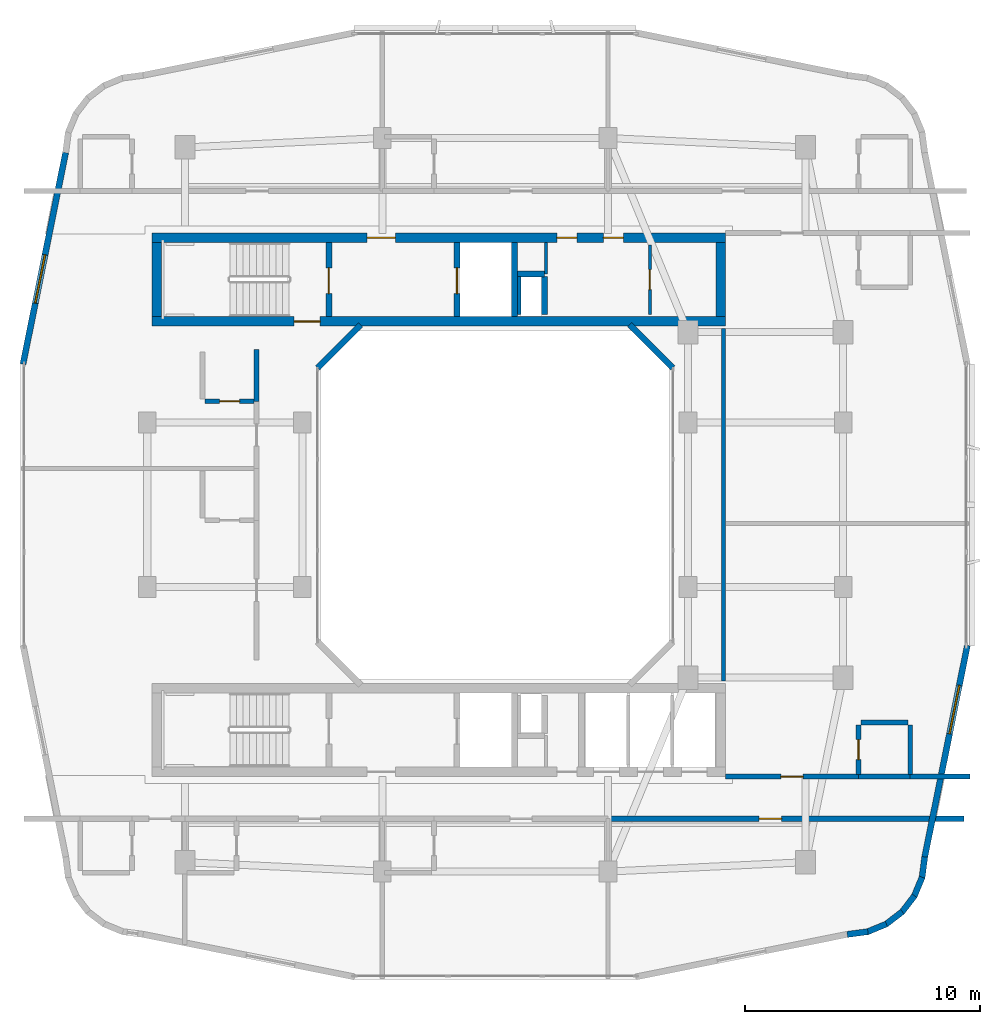
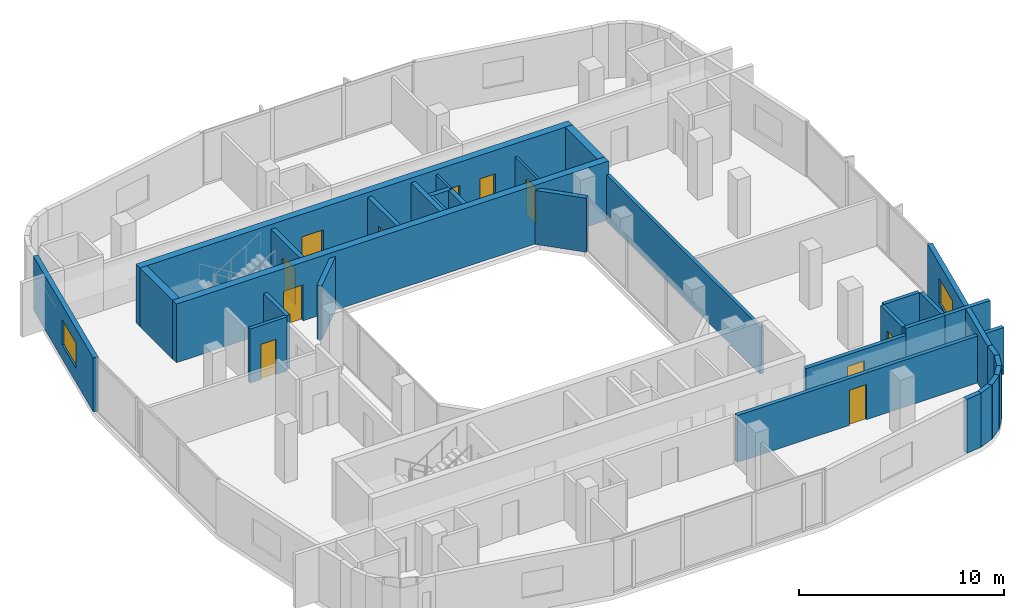
# One storey, part 8 of 14: 32 walls, 11 doors, 2 windows, 13 openings.
"""IFC4 building model written with IfcOpenShell, lengths in metres."""

from ifc_helpers import new_model, si_unit, derived_unit, direction, frame, frame_2d, origin, place, context, subcontext, project, spatial, rectangle, extrude, material, layer, layer_set, type_object, element, fill, save


model = new_model("IFC4")

# Units and contexts
model_context = context("Model", 3, precision=1e-05, world=origin(), true_north=direction((0.0, 1.0)))
body_context = subcontext(model_context, "Body", "Model", "MODEL_VIEW")
ifc_project = project(units=[si_unit("LENGTHUNIT", "METRE"), si_unit("AREAUNIT", "SQUARE_METRE"), si_unit("VOLUMEUNIT", "CUBIC_METRE"), si_unit("PLANEANGLEUNIT", "RADIAN"), si_unit("MASSUNIT", "GRAM", prefix="KILO"), derived_unit("THERMALTRANSMITTANCEUNIT", [(si_unit("POWERUNIT", "WATT"), 1), (si_unit("LENGTHUNIT", "METRE"), -2), (si_unit("THERMODYNAMICTEMPERATUREUNIT", "KELVIN"), -1)])], contexts=[model_context])

# Site, building, storey
site_placement = place(None, origin())
site = spatial("IfcSite", under=ifc_project, at=site_placement, CompositionType="ELEMENT")
building_placement = place(site_placement, origin())
building = spatial("IfcBuilding", under=site, at=building_placement, Name="Kivonza Crest Hotel", CompositionType="ELEMENT")
storey_placement = place(building_placement, frame((0.0, 0.0, 145.0)))
storey = spatial("IfcBuildingStorey", under=building, at=storey_placement, Name="L39", CompositionType="ELEMENT", Elevation=145.0)

# Wall
ifc_material_1 = material(Name="High-density acoustic masonry inter-tenancy wall", Category="masonry")
ifc_layer_1 = layer(ifc_material_1, 0.179931640625)
ifc_layer_set_1 = layer_set([ifc_layer_1], Name="High-density acoustic masonry inter-tenancy wall")
wall_type_1 = type_object("IfcWallType", Name="WL-ACOU-180", PredefinedType="SOLIDWALL", material=ifc_layer_set_1)
wall_1_placement = place(storey_placement, frame((30.7099609375, 17.5, 0.0), z_axis=(0.0, 0.0, 1.0), x_axis=(0.0, 1.0, 0.0)))
element("IfcWall", 1, at=wall_1_placement, inside=storey, type_object=wall_type_1, Name="L39 interior partition WA-L39-T1EC-W", PredefinedType="SOLIDWALL", context=body_context, shape_type="SweptSolid", body=[
    extrude(rectangle(XDim=15.0, YDim=0.179931640625, at=frame_2d((7.5, 0.0))), origin(), (0.0, 0.0, 1.0), 2.794921875),
])

# Wall, opening, door
ifc_material_2 = material(Name="Autoclaved aerated concrete blockwork", Category="masonry")
ifc_layer_2 = layer(ifc_material_2, 0.219970703125)
ifc_layer_set_2 = layer_set([ifc_layer_2], Name="Autoclaved aerated concrete blockwork")
wall_type_2 = type_object("IfcWallType", Name="WL-ACOU-220", PredefinedType="SOLIDWALL", material=ifc_layer_set_2)
wall_2_placement = place(storey_placement, frame((25.89990234375, 11.64990234375, 0.0), z_axis=(0.0, 0.0, 1.0), x_axis=(1.0, 0.0, 0.0)))
wall_2 = element("IfcWall", 2, at=wall_2_placement, inside=storey, type_object=wall_type_2, Name="L39 interior partition WA-L39-BUS-MTG-N", PredefinedType="SOLIDWALL", context=body_context, shape_type="SweptSolid", body=[
    extrude(rectangle(XDim=15.0400390625, YDim=0.219970703125, at=frame_2d((7.52001953125, 0.0))), origin(), (0.0, 0.0, 1.0), 2.794921875),
])
opening_1_placement = place(wall_2_placement, frame((6.330078125, 0.0, 0.0)))
opening_1 = element("IfcOpeningElement", 3, at=opening_1_placement, cuts=wall_2, Name="Opening DF-60S", PredefinedType="OPENING", context=body_context, shape_type="SweptSolid", body=[
    extrude(rectangle(XDim=0.949951171875, YDim=2.10009765625, at=frame_2d((0.47509765625, 1.050048828125))), frame((0.0, 0.1201171875, 0.0), z_axis=(0.0, -1.0, 0.0), x_axis=(1.0, 0.0, 0.0)), (0.0, 0.0, 1.0), 0.239990234375),
])
ifc_material_3 = material(Name="Hardwood timber oak", Category="wood")
door_type_1 = type_object("IfcDoorType", Name="DR-FD60-950", OperationType="NOTDEFINED", PredefinedType="DOOR", material=ifc_material_3)
door_1_placement = place(opening_1_placement, frame((0.949951171875, 0.0, 0.0), z_axis=(0.0, 0.0, 1.0), x_axis=(-1.0, 0.0, 0.0)))
door_1 = element("IfcDoor", 4, at=door_1_placement, inside=storey, type_object=door_type_1, Name="L39 Guest Business Office door", OperationType="SINGLE_SWING_RIGHT", OverallHeight=2.10009765625, OverallWidth=0.949951171875, PredefinedType="DOOR", context=body_context, shape_type="SweptSolid", body=[
    extrude(rectangle(XDim=0.949951171875, YDim=2.10009765625, at=frame_2d((0.47509765625, 1.050048828125))), frame((0.0, 0.02490234375, 0.0), z_axis=(0.0, -1.0, 0.0), x_axis=(1.0, 0.0, 0.0)), (0.0, 0.0, 1.0), 0.050048828125),
])
fill(opening_1, door_1)

# Walls
wall_3_placement = place(storey_placement, frame((10.85009765625, 29.39990234375, 0.0), z_axis=(0.0, 0.0, 1.0), x_axis=(0.0, 1.0, 0.0)))
element("IfcWall", 5, at=wall_3_placement, inside=storey, type_object=wall_type_2, Name="L39 interior partition WA-L39-W08-BCORR", PredefinedType="SOLIDWALL", context=body_context, shape_type="SweptSolid", body=[
    extrude(rectangle(XDim=2.2001953125, YDim=0.219970703125, at=frame_2d((1.10009765625, 0.0))), origin(), (0.0, 0.0, 1.0), 3.219970703125),
])
wall_4_placement = place(storey_placement, frame((38.64990234375, 13.43994140625, 0.0), z_axis=(0.0, 0.0, 1.0), x_axis=(1.0, 0.0, 0.0)))
element("IfcWall", 6, at=wall_4_placement, inside=storey, type_object=wall_type_2, Name="L39 interior partition WA-L39-ES09-XCORR", PredefinedType="SOLIDWALL", context=body_context, shape_type="SweptSolid", body=[
    extrude(rectangle(XDim=2.550048828125, YDim=0.219970703125, at=frame_2d((1.27490234375, 0.0))), origin(), (0.0, 0.0, 1.0), 3.219970703125),
])
wall_5_placement = place(storey_placement, frame((36.449951171875, 13.43994140625, 0.0), z_axis=(0.0, 0.0, 1.0), x_axis=(1.0, 0.0, 0.0)))
element("IfcWall", 7, at=wall_5_placement, inside=storey, type_object=wall_type_2, Name="L39 interior partition WA-L39-ES09-BCORR", PredefinedType="SOLIDWALL", context=body_context, shape_type="SweptSolid", body=[
    extrude(rectangle(XDim=2.199951171875, YDim=0.219970703125, at=frame_2d((1.10009765625, 0.0))), origin(), (0.0, 0.0, 1.0), 3.219970703125),
])

# Wall, opening, door
wall_6_placement = place(storey_placement, frame((30.800048828125, 13.43994140625, 0.0), z_axis=(0.0, 0.0, 1.0), x_axis=(1.0, 0.0, 0.0)))
wall_6 = element("IfcWall", 8, at=wall_6_placement, inside=storey, type_object=wall_type_2, Name="L39 interior partition WA-L39-ES09-MCORR", PredefinedType="SOLIDWALL", context=body_context, shape_type="SweptSolid", body=[
    extrude(rectangle(XDim=5.64990234375, YDim=0.219970703125, at=frame_2d((2.824951171875, 0.0))), origin(), (0.0, 0.0, 1.0), 2.794921875),
])
opening_2_placement = place(wall_6_placement, frame((2.35009765625, 0.0, 0.0)))
opening_2 = element("IfcOpeningElement", 9, at=opening_2_placement, cuts=wall_6, Name="Opening DU-60", PredefinedType="OPENING", context=body_context, shape_type="SweptSolid", body=[
    extrude(rectangle(XDim=0.949951171875, YDim=2.10009765625, at=frame_2d((0.47509765625, 1.050048828125))), frame((0.0, 0.1201171875, 0.0), z_axis=(0.0, -1.0, 0.0), x_axis=(1.0, 0.0, 0.0)), (0.0, 0.0, 1.0), 0.239990234375),
])
door_type_2 = type_object("IfcDoorType", Name="DR-UNIT-950", OperationType="NOTDEFINED", PredefinedType="DOOR", material=ifc_material_3)
door_2_placement = place(opening_2_placement, origin())
door_2 = element("IfcDoor", 10, at=door_2_placement, inside=storey, type_object=door_type_2, Name="L39 ES09 guest unit entrance fire door", OperationType="SINGLE_SWING_RIGHT", OverallHeight=2.10009765625, OverallWidth=0.949951171875, PredefinedType="DOOR", context=body_context, shape_type="SweptSolid", body=[
    extrude(rectangle(XDim=0.949951171875, YDim=2.10009765625, at=frame_2d((0.47509765625, 1.050048828125))), frame((0.0, 0.02490234375, 0.0), z_axis=(0.0, -1.0, 0.0), x_axis=(1.0, 0.0, 0.0)), (0.0, 0.0, 1.0), 0.050048828125),
])
fill(opening_2, door_2)

ifc_material_4 = material(Name="Concrete C50/60", Category="concrete")
ifc_layer_3 = layer(ifc_material_4, 0.39990234375)
ifc_layer_set_3 = layer_set([ifc_layer_3], Name="Concrete C50/60")
wall_type_3 = type_object("IfcWallType", Name="WL-CORE-400", PredefinedType="SHEAR", material=ifc_layer_set_3)
wall_7_placement = place(storey_placement, frame((6.39990234375, 32.800048828125, 0.0), z_axis=(0.0, 0.0, 1.0), x_axis=(1.0, 0.0, 0.0)))
wall_7 = element("IfcWall", 11, at=wall_7_placement, inside=storey, type_object=wall_type_3, Name="Core wall T1-N South L39", PredefinedType="SHEAR", context=body_context, shape_type="SweptSolid", body=[
    extrude(rectangle(XDim=24.400146484375, YDim=0.39990234375, at=frame_2d((12.2001953125, 0.0))), origin(), (0.0, 0.0, 1.0), 3.5),
])
opening_3_placement = place(wall_7_placement, frame((6.050048828125, 0.0, 0.0)))
opening_3 = element("IfcOpeningElement", 12, at=opening_3_placement, cuts=wall_7, Name="Opening DF-120", PredefinedType="OPENING", context=body_context, shape_type="SweptSolid", body=[
    extrude(rectangle(XDim=1.10009765625, YDim=2.14990234375, at=frame_2d((0.550048828125, 1.074951171875))), frame((0.0, 0.2099609375, 0.0), z_axis=(0.0, -1.0, 0.0), x_axis=(1.0, 0.0, 0.0)), (0.0, 0.0, 1.0), 0.419921875),
])
ifc_material_5 = material(Name="Galvanised steel", Category="steel")
door_type_3 = type_object("IfcDoorType", Name="DR-FD120-1100", OperationType="NOTDEFINED", PredefinedType="DOOR", material=ifc_material_5)
door_3_placement = place(opening_3_placement, origin())
door_3 = element("IfcDoor", 13, at=door_3_placement, inside=storey, type_object=door_type_3, Name="L39 West corridor stair access fire door", OperationType="SINGLE_SWING_LEFT", OverallHeight=2.14990234375, OverallWidth=1.10009765625, PredefinedType="DOOR", context=body_context, shape_type="SweptSolid", body=[
    extrude(rectangle(XDim=1.10009765625, YDim=2.14990234375, at=frame_2d((0.550048828125, 1.074951171875))), frame((0.0, 0.02490234375, 0.0), z_axis=(0.0, -1.0, 0.0), x_axis=(1.0, 0.0, 0.0)), (0.0, 0.0, 1.0), 0.050048828125),
])
fill(opening_3, door_3)

# Wall, openings, doors
wall_8_placement = place(storey_placement, frame((6.39990234375, 36.360107421875, 0.0), z_axis=(0.0, 0.0, 1.0), x_axis=(1.0, 0.0, 0.0)))
wall_8 = element("IfcWall", 14, at=wall_8_placement, inside=storey, type_object=wall_type_3, Name="Core wall T1-N North L39", PredefinedType="SHEAR", context=body_context, shape_type="SweptSolid", body=[
    extrude(rectangle(XDim=24.400146484375, YDim=0.39990234375, at=frame_2d((12.2001953125, 0.0))), origin(), (0.0, 0.0, 1.0), 3.5),
])
opening_4_placement = place(wall_8_placement, frame((9.14990234375, 0.0, 0.0)))
opening_4 = element("IfcOpeningElement", 15, at=opening_4_placement, cuts=wall_8, Name="Opening DF-60", PredefinedType="OPENING", context=body_context, shape_type="SweptSolid", body=[
    extrude(rectangle(XDim=1.199951171875, YDim=2.14990234375, at=frame_2d((0.60009765625, 1.074951171875))), frame((0.0, 0.2099609375, 0.0), z_axis=(0.0, -1.0, 0.0), x_axis=(1.0, 0.0, 0.0)), (0.0, 0.0, 1.0), 0.419921875),
])
opening_5_placement = place(wall_8_placement, frame((19.199951171875, 0.0, 0.0)))
opening_5 = element("IfcOpeningElement", 16, at=opening_5_placement, cuts=wall_8, Name="Opening DF-60R", PredefinedType="OPENING", context=body_context, shape_type="SweptSolid", body=[
    extrude(rectangle(XDim=0.85009765625, YDim=2.10009765625, at=frame_2d((0.425048828125, 1.050048828125))), frame((0.0, 0.2099609375, 0.0), z_axis=(0.0, -1.0, 0.0), x_axis=(1.0, 0.0, 0.0)), (0.0, 0.0, 1.0), 0.419921875),
])
opening_6_placement = place(wall_8_placement, frame((17.219970703125, 0.0, 0.0)))
opening_6 = element("IfcOpeningElement", 17, at=opening_6_placement, cuts=wall_8, Name="Opening DF-60R", PredefinedType="OPENING", context=body_context, shape_type="SweptSolid", body=[
    extrude(rectangle(XDim=0.85009765625, YDim=2.10009765625, at=frame_2d((0.425048828125, 1.050048828125))), frame((0.0, 0.2099609375, 0.0), z_axis=(0.0, -1.0, 0.0), x_axis=(1.0, 0.0, 0.0)), (0.0, 0.0, 1.0), 0.419921875),
])
door_type_4 = type_object("IfcDoorType", Name="DR-FD60-1200", OperationType="NOTDEFINED", PredefinedType="DOOR", material=ifc_material_3)
door_4_placement = place(opening_4_placement, origin())
door_4 = element("IfcDoor", 18, at=door_4_placement, inside=storey, type_object=door_type_4, Name="L39 T1-N firefighting lobby fire door", OperationType="SINGLE_SWING_RIGHT", OverallHeight=2.14990234375, OverallWidth=1.199951171875, PredefinedType="DOOR", context=body_context, shape_type="SweptSolid", body=[
    extrude(rectangle(XDim=1.199951171875, YDim=2.14990234375, at=frame_2d((0.60009765625, 1.074951171875))), frame((0.0, 0.02490234375, 0.0), z_axis=(0.0, -1.0, 0.0), x_axis=(1.0, 0.0, 0.0)), (0.0, 0.0, 1.0), 0.050048828125),
])
fill(opening_4, door_4)
door_type_5 = type_object("IfcDoorType", Name="DR-FD60-850", OperationType="NOTDEFINED", PredefinedType="DOOR", material=ifc_material_3)
door_5_placement = place(opening_5_placement, origin())
door_5 = element("IfcDoor", 19, at=door_5_placement, inside=storey, type_object=door_type_5, Name="L39 T1-N reclaimed core service door", OperationType="SINGLE_SWING_LEFT", OverallHeight=2.10009765625, OverallWidth=0.85009765625, PredefinedType="DOOR", context=body_context, shape_type="SweptSolid", body=[
    extrude(rectangle(XDim=0.85009765625, YDim=2.10009765625, at=frame_2d((0.425048828125, 1.050048828125))), frame((0.0, 0.02490234375, 0.0), z_axis=(0.0, -1.0, 0.0), x_axis=(1.0, 0.0, 0.0)), (0.0, 0.0, 1.0), 0.050048828125),
])
fill(opening_5, door_5)
door_6_placement = place(opening_6_placement, origin())
door_6 = element("IfcDoor", 20, at=door_6_placement, inside=storey, type_object=door_type_5, Name="L39 T1-N core room door", OperationType="SINGLE_SWING_RIGHT", OverallHeight=2.10009765625, OverallWidth=0.85009765625, PredefinedType="DOOR", context=body_context, shape_type="SweptSolid", body=[
    extrude(rectangle(XDim=0.85009765625, YDim=2.10009765625, at=frame_2d((0.425048828125, 1.050048828125))), frame((0.0, 0.02490234375, 0.0), z_axis=(0.0, -1.0, 0.0), x_axis=(1.0, 0.0, 0.0)), (0.0, 0.0, 1.0), 0.050048828125),
])
fill(opening_6, door_6)

# Walls
for number, where, z_axis, x_axis, name in (
    (21, (6.60009765625, 33.0, 0.0), (0.0, 0.0, 1.0), (0.0, 1.0, 0.0), "Core wall T1-N West L39"),
    (22, (30.60009765625, 33.0, 0.0), (0.0, 0.0, 1.0), (0.0, 1.0, 0.0), "Core wall T1-N East L39"),
):
    element("IfcWall", number, at=place(storey_placement, frame(where, z_axis=z_axis, x_axis=x_axis)), inside=storey, type_object=wall_type_3, Name=name, PredefinedType="SHEAR", context=body_context, shape_type="SweptSolid", body=[
        extrude(rectangle(XDim=3.159912109375, YDim=0.39990234375, at=frame_2d((1.580078125, 0.0))), origin(), (0.0, 0.0, 1.0), 3.5),
    ])
ifc_material_6 = material(Name="Precast concrete C40/50", Category="concrete")
ifc_layer_4 = layer(ifc_material_6, 0.260009765625)
ifc_layer_set_4 = layer_set([ifc_layer_4], Name="Precast concrete C40/50")
wall_type_4 = type_object("IfcWallType", Name="WL-EXT-260", PredefinedType="STANDARD", material=ifc_layer_set_4)
wall_9_placement = place(storey_placement, frame((35.97509765625, 6.72802734375, 0.0), z_axis=(0.0, 0.0, 1.0), x_axis=(0.991388484223, 0.130953706898, 0.0)))
element("IfcWall", 23, at=wall_9_placement, inside=storey, type_object=wall_type_4, Name="L39 T1 exterior insulated wall 10", PredefinedType="STANDARD", context=body_context, shape_type="SweptSolid", body=[
    extrude(rectangle(XDim=0.885498046875, YDim=0.260009765625, at=frame_2d((0.44287109375, 0.0))), origin(), (0.0, 0.0, 1.0), 3.219970703125),
])
wall_10_placement = place(storey_placement, frame((36.806884765625, 6.825927734375, 0.0), z_axis=(0.0, 0.0, 1.0), x_axis=(0.923627776508, 0.383290660547, 0.0)))
element("IfcWall", 24, at=wall_10_placement, inside=storey, type_object=wall_type_4, Name="L39 T1 exterior insulated wall 11", PredefinedType="STANDARD", context=body_context, shape_type="SweptSolid", body=[
    extrude(rectangle(XDim=0.9033203125, YDim=0.260009765625, at=frame_2d((0.45166015625, 0.0))), origin(), (0.0, 0.0, 1.0), 3.219970703125),
])
wall_11_placement = place(storey_placement, frame((37.60107421875, 7.14404296875, 0.0), z_axis=(0.0, 0.0, 1.0), x_axis=(0.793458244748, 0.608624690463, 0.0)))
element("IfcWall", 25, at=wall_11_placement, inside=storey, type_object=wall_type_4, Name="L39 T1 exterior insulated wall 12", PredefinedType="STANDARD", context=body_context, shape_type="SweptSolid", body=[
    extrude(rectangle(XDim=0.902099609375, YDim=0.260009765625, at=frame_2d((0.451171875, 0.0))), origin(), (0.0, 0.0, 1.0), 3.219970703125),
])
wall_12_placement = place(storey_placement, frame((38.285888671875, 7.655029296875, 0.0), z_axis=(0.0, 0.0, 1.0), x_axis=(0.608494022858, 0.793558456666, 0.0)))
element("IfcWall", 26, at=wall_12_placement, inside=storey, type_object=wall_type_4, Name="L39 T1 exterior insulated wall 13", PredefinedType="STANDARD", context=body_context, shape_type="SweptSolid", body=[
    extrude(rectangle(XDim=0.90234375, YDim=0.260009765625, at=frame_2d((0.451171875, 0.0))), origin(), (0.0, 0.0, 1.0), 3.219970703125),
])
wall_13_placement = place(storey_placement, frame((38.81396484375, 8.326904296875, 0.0), z_axis=(0.0, 0.0, 1.0), x_axis=(0.383155708213, 0.923683767999, 0.0)))
element("IfcWall", 27, at=wall_13_placement, inside=storey, type_object=wall_type_4, Name="L39 T1 exterior insulated wall 14", PredefinedType="STANDARD", context=body_context, shape_type="SweptSolid", body=[
    extrude(rectangle(XDim=0.90283203125, YDim=0.260009765625, at=frame_2d((0.451416015625, 0.0))), origin(), (0.0, 0.0, 1.0), 3.219970703125),
])
wall_14_placement = place(storey_placement, frame((39.152099609375, 9.112060546875, 0.0), z_axis=(0.0, 0.0, 1.0), x_axis=(0.130200706103, 0.991487658083, 0.0)))
element("IfcWall", 28, at=wall_14_placement, inside=storey, type_object=wall_type_4, Name="L39 T1 exterior insulated wall 15", PredefinedType="STANDARD", context=body_context, shape_type="SweptSolid", body=[
    extrude(rectangle(XDim=0.920654296875, YDim=0.260009765625, at=frame_2d((0.46044921875, 0.0))), origin(), (0.0, 0.0, 1.0), 3.219970703125),
])

# Wall, opening, window
wall_15_placement = place(storey_placement, frame((39.27099609375, 10.01806640625, 0.0), z_axis=(0.0, 0.0, 1.0), x_axis=(0.197435082048, 0.980315963543, 0.0)))
wall_15 = element("IfcWall", 29, at=wall_15_placement, inside=storey, type_object=wall_type_4, Name="L39 T1 exterior insulated wall 16", PredefinedType="STANDARD", context=body_context, shape_type="SweptSolid", body=[
    extrude(rectangle(XDim=9.1826171875, YDim=0.260009765625, at=frame_2d((4.59130859375, 0.0))), origin(), (0.0, 0.0, 1.0), 3.219970703125),
])
opening_7_placement = place(wall_15_placement, frame((5.34912109375, 0.0, 0.85009765625)))
opening_7 = element("IfcOpeningElement", 30, at=opening_7_placement, cuts=wall_15, Name="Opening WN-04", PredefinedType="OPENING", context=body_context, shape_type="SweptSolid", body=[
    extrude(rectangle(XDim=2.10009765625, YDim=1.5, at=frame_2d((1.050048828125, 0.75))), frame((0.0, 0.14013671875, 0.0), z_axis=(0.0, -1.0, 0.0), x_axis=(1.0, 0.0, 0.0)), (0.0, 0.0, 1.0), 0.280029296875),
])
ifc_material_7 = material(Name="Thermally broken bronze aluminium and low-E double glazing", Category="aluminium")
window_type = type_object("IfcWindowType", Name="WN-210x150", PartitioningType="DOUBLE_PANEL_VERTICAL", PredefinedType="WINDOW", material=ifc_material_7)
window_1_placement = place(opening_7_placement, origin())
window_1 = element("IfcWindow", 31, at=window_1_placement, inside=storey, type_object=window_type, Name="L39 T1 facade window 16", OverallHeight=1.5, OverallWidth=2.10009765625, PartitioningType="SINGLE_PANEL", PredefinedType="WINDOW", context=body_context, shape_type="SweptSolid", body=[
    extrude(rectangle(XDim=2.10009765625, YDim=1.5, at=frame_2d((1.050048828125, 0.75))), frame((0.0, 0.030029296875, 0.0), z_axis=(0.0, -1.0, 0.0), x_axis=(1.0, 0.0, 0.0)), (0.0, 0.0, 1.0), 0.06005859375),
])
fill(opening_7, window_1)

wall_16_placement = place(storey_placement, frame((2.72900390625, 39.98193359375, 0.0), z_axis=(0.0, 0.0, 1.0), x_axis=(-0.197435082048, -0.980315963543, 0.0)))
wall_16 = element("IfcWall", 32, at=wall_16_placement, inside=storey, type_object=wall_type_4, Name="L39 T1 exterior insulated wall 34", PredefinedType="STANDARD", context=body_context, shape_type="SweptSolid", body=[
    extrude(rectangle(XDim=9.1826171875, YDim=0.260009765625, at=frame_2d((4.59130859375, 0.0))), origin(), (0.0, 0.0, 1.0), 3.219970703125),
])
opening_8_placement = place(wall_16_placement, frame((4.43603515625, 0.0, 0.85009765625)))
opening_8 = element("IfcOpeningElement", 33, at=opening_8_placement, cuts=wall_16, Name="Opening WN-04", PredefinedType="OPENING", context=body_context, shape_type="SweptSolid", body=[
    extrude(rectangle(XDim=2.10009765625, YDim=1.5, at=frame_2d((1.050048828125, 0.75))), frame((0.0, 0.14013671875, 0.0), z_axis=(0.0, -1.0, 0.0), x_axis=(1.0, 0.0, 0.0)), (0.0, 0.0, 1.0), 0.280029296875),
])
window_2_placement = place(opening_8_placement, origin())
window_2 = element("IfcWindow", 34, at=window_2_placement, inside=storey, type_object=window_type, Name="L39 T1 facade window 34", OverallHeight=1.5, OverallWidth=2.10009765625, PartitioningType="SINGLE_PANEL", PredefinedType="WINDOW", context=body_context, shape_type="SweptSolid", body=[
    extrude(rectangle(XDim=2.10009765625, YDim=1.5, at=frame_2d((1.050048828125, 0.75))), frame((0.0, 0.030029296875, 0.0), z_axis=(0.0, -1.0, 0.0), x_axis=(1.0, 0.0, 0.0)), (0.0, 0.0, 1.0), 0.06005859375),
])
fill(opening_8, window_2)

# Walls
for number, where, z_axis, x_axis, name in (
    (35, (28.555908203125, 30.827880859375, 0.0), (0.0, 0.0, 1.0), (-0.707059717605, 0.707153841636, 0.0), "L39 T1 light-well exterior wall 4"),
    (36, (15.278076171875, 32.662109375, 0.0), (0.0, 0.0, 1.0), (-0.707059717605, -0.707153841636, 0.0), "L39 T1 light-well exterior wall 6"),
):
    element("IfcWall", number, at=place(storey_placement, frame(where, z_axis=z_axis, x_axis=x_axis)), inside=storey, type_object=wall_type_4, Name=name, PredefinedType="STANDARD", context=body_context, shape_type="SweptSolid", body=[
        extrude(rectangle(XDim=2.59375, YDim=0.260009765625, at=frame_2d((1.296875, 0.0))), origin(), (0.0, 0.0, 1.0), 3.219970703125),
    ])
ifc_material_8 = material(Name="Concrete blockwork fire-compartment wall", Category="masonry")
ifc_layer_5 = layer(ifc_material_8, 0.25)
ifc_layer_set_5 = layer_set([ifc_layer_5], Name="Concrete blockwork fire-compartment wall")
wall_type_5 = type_object("IfcWallType", Name="WL-FIRE-250", PredefinedType="SOLIDWALL", material=ifc_layer_set_5)
wall_17_placement = place(storey_placement, frame((23.10009765625, 33.10009765625, 0.0), z_axis=(0.0, 0.0, 1.0), x_axis=(0.0, 1.0, 0.0)))
element("IfcWall", 37, at=wall_17_placement, inside=storey, type_object=wall_type_5, Name="L39 interior partition WA-L39-T1-N-MEPR-E", PredefinedType="SOLIDWALL", context=body_context, shape_type="SweptSolid", body=[
    extrude(rectangle(XDim=1.619873046875, YDim=0.25, at=frame_2d((0.81005859375, 0.0))), origin(), (0.0, 0.0, 1.0), 3.219970703125),
])
wall_18_placement = place(storey_placement, frame((21.949951171875, 34.820068359375, 0.0), z_axis=(0.0, 0.0, 1.0), x_axis=(1.0, 0.0, 0.0)))
element("IfcWall", 38, at=wall_18_placement, inside=storey, type_object=wall_type_5, Name="L39 interior partition WA-L39-T1-N-MEPR-H", PredefinedType="SOLIDWALL", context=body_context, shape_type="SweptSolid", body=[
    extrude(rectangle(XDim=1.150146484375, YDim=0.25, at=frame_2d((0.5751953125, 0.0))), origin(), (0.0, 0.0, 1.0), 3.219970703125),
])

# Wall, opening, door
ifc_material_9 = material(Name="Metal-stud gypsum board partition", Category="gypsum")
ifc_layer_6 = layer(ifc_material_9, 0.125)
ifc_layer_set_6 = layer_set([ifc_layer_6], Name="Metal-stud gypsum board partition")
wall_type_6 = type_object("IfcWallType", Name="WL-PART-125", PredefinedType="PARTITIONING", material=ifc_layer_set_6)
wall_19_placement = place(storey_placement, frame((27.580078125, 33.10009765625, 0.0), z_axis=(0.0, 0.0, 1.0), x_axis=(0.0, 1.0, 0.0)))
wall_19 = element("IfcWall", 39, at=wall_19_placement, inside=storey, type_object=wall_type_6, Name="L39 interior partition WP-L39-T1-N-RECL", PredefinedType="PARTITIONING", context=body_context, shape_type="SweptSolid", body=[
    extrude(rectangle(XDim=2.9599609375, YDim=0.125, at=frame_2d((1.47998046875, 0.0))), origin(), (0.0, 0.0, 1.0), 2.794921875),
])
opening_9_placement = place(wall_19_placement, frame((1.054931640625, 0.0, 0.0)))
opening_9 = element("IfcOpeningElement", 40, at=opening_9_placement, cuts=wall_19, Name="Opening DI-85", PredefinedType="OPENING", context=body_context, shape_type="SweptSolid", body=[
    extrude(rectangle(XDim=0.85009765625, YDim=2.10009765625, at=frame_2d((0.425048828125, 1.050048828125))), frame((0.0, 0.072509765625, 0.0), z_axis=(0.0, -1.0, 0.0), x_axis=(1.0, 0.0, 0.0)), (0.0, 0.0, 1.0), 0.14501953125),
])
door_type_6 = type_object("IfcDoorType", Name="DR-INT-850", OperationType="NOTDEFINED", PredefinedType="DOOR", material=ifc_material_3)
door_7_placement = place(opening_9_placement, origin())
door_7 = element("IfcDoor", 41, at=door_7_placement, inside=storey, type_object=door_type_6, Name="L39 T1-N reclaimed inner pantry door", OperationType="SINGLE_SWING_LEFT", OverallHeight=2.10009765625, OverallWidth=0.85009765625, PredefinedType="DOOR", context=body_context, shape_type="SweptSolid", body=[
    extrude(rectangle(XDim=0.85009765625, YDim=2.10009765625, at=frame_2d((0.425048828125, 1.050048828125))), frame((0.0, 0.02490234375, 0.0), z_axis=(0.0, -1.0, 0.0), x_axis=(1.0, 0.0, 0.0)), (0.0, 0.0, 1.0), 0.050048828125),
])
fill(opening_9, door_7)

# Walls
wall_20_placement = place(storey_placement, frame((23.159912109375, 34.820068359375, 0.0), z_axis=(0.0, 0.0, 1.0), x_axis=(0.0, 1.0, 0.0)))
element("IfcWall", 42, at=wall_20_placement, inside=storey, type_object=wall_type_6, Name="L39 interior partition WP-L39-T1-N-SV1V", PredefinedType="PARTITIONING", context=body_context, shape_type="SweptSolid", body=[
    extrude(rectangle(XDim=1.33984375, YDim=0.125, at=frame_2d((0.669921875, 0.0))), origin(), (0.0, 0.0, 1.0), 3.219970703125),
])
ifc_material_10 = material(Name="Twin-stud acoustic gypsum board partition", Category="gypsum")
ifc_layer_7 = layer(ifc_material_10, 0.14990234375)
ifc_layer_set_7 = layer_set([ifc_layer_7], Name="Twin-stud acoustic gypsum board partition")
wall_type_7 = type_object("IfcWallType", Name="WL-PART-150", PredefinedType="PARTITIONING", material=ifc_layer_set_7)
wall_21_placement = place(storey_placement, frame((22.030029296875, 33.10009765625, 0.0), z_axis=(0.0, 0.0, 1.0), x_axis=(0.0, 1.0, 0.0)))
element("IfcWall", 43, at=wall_21_placement, inside=storey, type_object=wall_type_7, Name="L39 interior partition WA-L39-T1-N-MEPR-W", PredefinedType="PARTITIONING", context=body_context, shape_type="SweptSolid", body=[
    extrude(rectangle(XDim=1.619873046875, YDim=0.14990234375, at=frame_2d((0.81005859375, 0.0))), origin(), (0.0, 0.0, 1.0), 3.219970703125),
])

# Wall, opening, door
ifc_material_11 = material(Name="Moisture-resistant plumbing chase partition wall", Category="gypsum")
ifc_layer_8 = layer(ifc_material_11, 0.199951171875)
ifc_layer_set_8 = layer_set([ifc_layer_8], Name="Moisture-resistant plumbing chase partition wall")
wall_type_8 = type_object("IfcWallType", Name="WL-PLUMB-200", PredefinedType="PLUMBINGWALL", material=ifc_layer_set_8)
wall_22_placement = place(storey_placement, frame((8.64990234375, 29.39990234375, 0.0), z_axis=(0.0, 0.0, 1.0), x_axis=(1.0, 0.0, 0.0)))
wall_22 = element("IfcWall", 44, at=wall_22_placement, inside=storey, type_object=wall_type_8, Name="L39 interior partition WW-L39-W08-BH", PredefinedType="PLUMBINGWALL", context=body_context, shape_type="SweptSolid", body=[
    extrude(rectangle(XDim=2.10009765625, YDim=0.199951171875, at=frame_2d((1.050048828125, 0.0))), origin(), (0.0, 0.0, 1.0), 3.219970703125),
])
opening_10_placement = place(wall_22_placement, frame((0.625, 0.0, 0.0)))
opening_10 = element("IfcOpeningElement", 45, at=opening_10_placement, cuts=wall_22, Name="Opening DI-85", PredefinedType="OPENING", context=body_context, shape_type="SweptSolid", body=[
    extrude(rectangle(XDim=0.85009765625, YDim=2.10009765625, at=frame_2d((0.425048828125, 1.050048828125))), frame((0.0, 0.10986328125, 0.0), z_axis=(0.0, -1.0, 0.0), x_axis=(1.0, 0.0, 0.0)), (0.0, 0.0, 1.0), 0.219970703125),
])
door_8_placement = place(opening_10_placement, frame((0.85009765625, 0.0, 0.0), z_axis=(0.0, 0.0, 1.0), x_axis=(-1.0, 0.0, 0.0)))
door_8 = element("IfcDoor", 46, at=door_8_placement, inside=storey, type_object=door_type_6, Name="L39 W08 en-suite bathroom door", OperationType="SINGLE_SWING_LEFT", OverallHeight=2.10009765625, OverallWidth=0.85009765625, PredefinedType="DOOR", context=body_context, shape_type="SweptSolid", body=[
    extrude(rectangle(XDim=0.85009765625, YDim=2.10009765625, at=frame_2d((0.425048828125, 1.050048828125))), frame((0.0, 0.02490234375, 0.0), z_axis=(0.0, -1.0, 0.0), x_axis=(1.0, 0.0, 0.0)), (0.0, 0.0, 1.0), 0.050048828125),
])
fill(opening_10, door_8)

wall_23_placement = place(storey_placement, frame((36.449951171875, 13.5400390625, 0.0), z_axis=(0.0, 0.0, 1.0), x_axis=(0.0, 1.0, 0.0)))
wall_23 = element("IfcWall", 47, at=wall_23_placement, inside=storey, type_object=wall_type_8, Name="L39 interior partition WW-L39-ES09-BV", PredefinedType="PLUMBINGWALL", context=body_context, shape_type="SweptSolid", body=[
    extrude(rectangle(XDim=2.099853515625, YDim=0.199951171875, at=frame_2d((1.0498046875, 0.0))), origin(), (0.0, 0.0, 1.0), 3.219970703125),
])
opening_11_placement = place(wall_23_placement, frame((0.625, 0.0, 0.0)))
opening_11 = element("IfcOpeningElement", 48, at=opening_11_placement, cuts=wall_23, Name="Opening DI-85", PredefinedType="OPENING", context=body_context, shape_type="SweptSolid", body=[
    extrude(rectangle(XDim=0.85009765625, YDim=2.10009765625, at=frame_2d((0.425048828125, 1.050048828125))), frame((0.0, 0.10986328125, 0.0), z_axis=(0.0, -1.0, 0.0), x_axis=(1.0, 0.0, 0.0)), (0.0, 0.0, 1.0), 0.219970703125),
])
door_9_placement = place(opening_11_placement, origin())
door_9 = element("IfcDoor", 49, at=door_9_placement, inside=storey, type_object=door_type_6, Name="L39 ES09 en-suite bathroom door", OperationType="SINGLE_SWING_LEFT", OverallHeight=2.10009765625, OverallWidth=0.85009765625, PredefinedType="DOOR", context=body_context, shape_type="SweptSolid", body=[
    extrude(rectangle(XDim=0.85009765625, YDim=2.10009765625, at=frame_2d((0.425048828125, 1.050048828125))), frame((0.0, 0.02490234375, 0.0), z_axis=(0.0, -1.0, 0.0), x_axis=(1.0, 0.0, 0.0)), (0.0, 0.0, 1.0), 0.050048828125),
])
fill(opening_11, door_9)

# Walls
wall_24_placement = place(storey_placement, frame((36.550048828125, 15.739990234375, 0.0), z_axis=(0.0, 0.0, 1.0), x_axis=(1.0, 0.0, 0.0)))
element("IfcWall", 50, at=wall_24_placement, inside=storey, type_object=wall_type_8, Name="L39 interior partition WW-L39-ES09-BH", PredefinedType="PLUMBINGWALL", context=body_context, shape_type="SweptSolid", body=[
    extrude(rectangle(XDim=2.0, YDim=0.199951171875, at=frame_2d((1.0, 0.0))), origin(), (0.0, 0.0, 1.0), 3.219970703125),
])
wall_25_placement = place(storey_placement, frame((38.64990234375, 13.5400390625, 0.0), z_axis=(0.0, 0.0, 1.0), x_axis=(0.0, 1.0, 0.0)))
element("IfcWall", 51, at=wall_25_placement, inside=storey, type_object=wall_type_8, Name="L39 interior partition WW-L39-ES09-BVE", PredefinedType="PLUMBINGWALL", context=body_context, shape_type="SweptSolid", body=[
    extrude(rectangle(XDim=2.099853515625, YDim=0.199951171875, at=frame_2d((1.0498046875, 0.0))), origin(), (0.0, 0.0, 1.0), 3.219970703125),
])

# Wall, opening, door
ifc_layer_9 = layer(ifc_material_4, 0.25)
ifc_layer_set_9 = layer_set([ifc_layer_9], Name="Concrete C50/60")
wall_type_9 = type_object("IfcWallType", Name="WL-SHAFT-250", PredefinedType="STANDARD", material=ifc_layer_set_9)
wall_26_placement = place(storey_placement, frame((13.925048828125, 33.0, 0.0), z_axis=(0.0, 0.0, 1.0), x_axis=(0.0, 1.0, 0.0)))
wall_26 = element("IfcWall", 52, at=wall_26_placement, inside=storey, type_object=wall_type_9, Name="Core shaft wall T1-N STAIR L39", PredefinedType="STANDARD", context=body_context, shape_type="SweptSolid", body=[
    extrude(rectangle(XDim=3.159912109375, YDim=0.25, at=frame_2d((1.580078125, 0.0))), origin(), (0.0, 0.0, 1.0), 3.219970703125),
])
opening_12_placement = place(wall_26_placement, frame((0.97998046875, 0.0, 0.0)))
opening_12 = element("IfcOpeningElement", 53, at=opening_12_placement, cuts=wall_26, Name="Opening DF-120", PredefinedType="OPENING", context=body_context, shape_type="SweptSolid", body=[
    extrude(rectangle(XDim=1.10009765625, YDim=2.14990234375, at=frame_2d((0.550048828125, 1.074951171875))), frame((0.0, 0.135009765625, 0.0), z_axis=(0.0, -1.0, 0.0), x_axis=(1.0, 0.0, 0.0)), (0.0, 0.0, 1.0), 0.27001953125),
])
door_10_placement = place(opening_12_placement, frame((1.10009765625, 0.0, 0.0), z_axis=(0.0, 0.0, 1.0), x_axis=(-1.0, 0.0, 0.0)))
door_10 = element("IfcDoor", 54, at=door_10_placement, inside=storey, type_object=door_type_3, Name="L39 T1-N stair fire door", OperationType="SINGLE_SWING_LEFT", OverallHeight=2.14990234375, OverallWidth=1.10009765625, PredefinedType="DOOR", context=body_context, shape_type="SweptSolid", body=[
    extrude(rectangle(XDim=1.10009765625, YDim=2.14990234375, at=frame_2d((0.550048828125, 1.074951171875))), frame((0.0, 0.02490234375, 0.0), z_axis=(0.0, -1.0, 0.0), x_axis=(1.0, 0.0, 0.0)), (0.0, 0.0, 1.0), 0.050048828125),
])
fill(opening_12, door_10)

wall_27_placement = place(storey_placement, frame((19.375, 33.0, 0.0), z_axis=(0.0, 0.0, 1.0), x_axis=(0.0, 1.0, 0.0)))
wall_27 = element("IfcWall", 55, at=wall_27_placement, inside=storey, type_object=wall_type_9, Name="Core shaft wall T1-N FFL-W L39", PredefinedType="STANDARD", context=body_context, shape_type="SweptSolid", body=[
    extrude(rectangle(XDim=3.159912109375, YDim=0.25, at=frame_2d((1.580078125, 0.0))), origin(), (0.0, 0.0, 1.0), 3.219970703125),
])
opening_13_placement = place(wall_27_placement, frame((0.97998046875, 0.0, 0.0)))
opening_13 = element("IfcOpeningElement", 56, at=opening_13_placement, cuts=wall_27, Name="Opening LD-120", PredefinedType="OPENING", context=body_context, shape_type="SweptSolid", body=[
    extrude(rectangle(XDim=1.10009765625, YDim=2.14990234375, at=frame_2d((0.550048828125, 1.074951171875))), frame((0.0, 0.135009765625, 0.0), z_axis=(0.0, -1.0, 0.0), x_axis=(1.0, 0.0, 0.0)), (0.0, 0.0, 1.0), 0.27001953125),
])
ifc_material_12 = material(Name="Stainless steel", Category="steel")
door_type_7 = type_object("IfcDoorType", Name="DR-LD120-1100", OperationType="NOTDEFINED", PredefinedType="DOOR", material=ifc_material_12)
door_11_placement = place(opening_13_placement, origin())
door_11 = element("IfcDoor", 57, at=door_11_placement, inside=storey, type_object=door_type_7, Name="L39 FFL-T1-N firefighting lift sliding landing door", OperationType="DOUBLE_DOOR_SLIDING", OverallHeight=2.14990234375, OverallWidth=1.10009765625, PredefinedType="DOOR", context=body_context, shape_type="SweptSolid", body=[
    extrude(rectangle(XDim=1.10009765625, YDim=2.14990234375, at=frame_2d((0.550048828125, 1.074951171875))), frame((0.0, 0.02490234375, 0.0), z_axis=(0.0, -1.0, 0.0), x_axis=(1.0, 0.0, 0.0)), (0.0, 0.0, 1.0), 0.050048828125),
])
fill(opening_13, door_11)

# Wall
wall_28_placement = place(storey_placement, frame((21.824951171875, 33.0, 0.0), z_axis=(0.0, 0.0, 1.0), x_axis=(0.0, 1.0, 0.0)))
element("IfcWall", 58, at=wall_28_placement, inside=storey, type_object=wall_type_9, Name="Core shaft wall T1-N FFL-E L39", PredefinedType="STANDARD", context=body_context, shape_type="SweptSolid", body=[
    extrude(rectangle(XDim=3.159912109375, YDim=0.25, at=frame_2d((1.580078125, 0.0))), origin(), (0.0, 0.0, 1.0), 3.219970703125),
])

save(model, "model.ifc")
